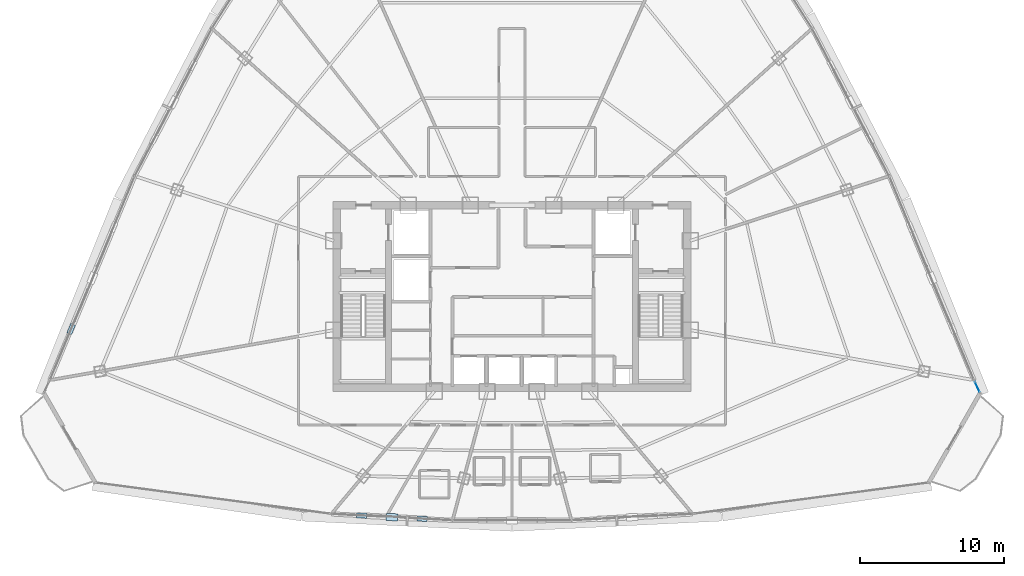
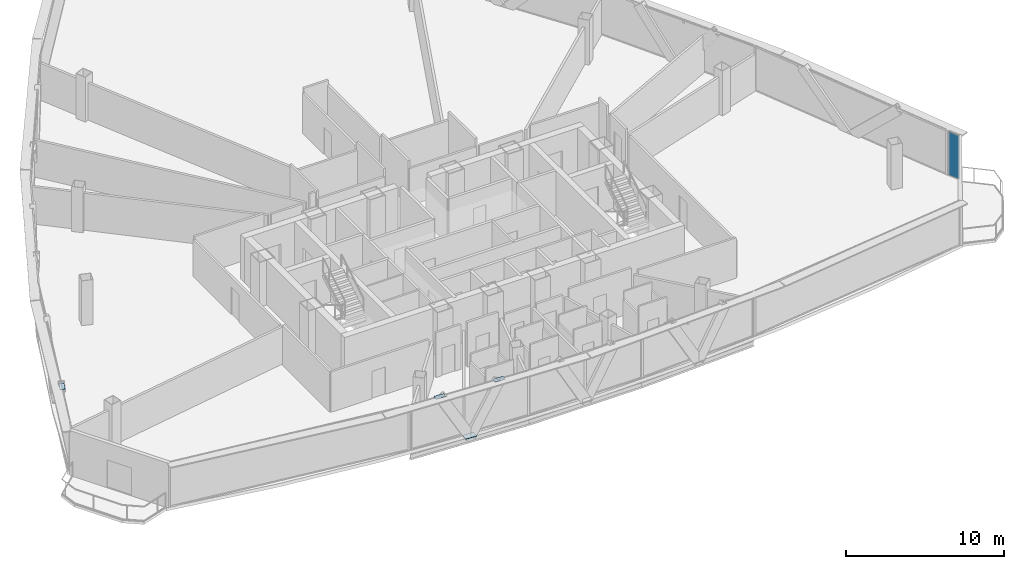
# One storey, part 30 of 37: 5 plates, 1 element without a shape of its own.
"""IFC4 building model written with IfcOpenShell, lengths in metres."""

import ifcopenshell
import ifcopenshell.guid

model = None  # the IFC model being written
_history = None  # IfcOwnerHistory: only IFC2X3 demands one
_inside = {}  # id of a spatial element -> (the spatial element, [elements in it])
_under = {}  # id of a project, library or spatial element -> (it, [spatial elements below it])
_declared = {}  # id of a project -> (the project, [libraries it declares])
_typed = {}  # id of a type object -> (the type object, [elements of that type])
_made_of = {}  # id of a material, layer set ... -> (it, [elements and type objects made of it])


def new_model(schema):
    """Start an empty IFC model of exactly this schema.

    Asked for "IFC4X3", IfcOpenShell would pick the latest addendum, in which some entities
    have other attributes; the version numbers below select the first issue.
    IFC2X3 requires an IfcOwnerHistory on every rooted entity: one is made here for all.
    """
    global model, _history
    if schema == "IFC4X3":
        model = ifcopenshell.file(schema_version=(4, 3, 0, 0))
    else:
        model = ifcopenshell.file(schema=schema)
    _inside.clear()
    _under.clear()
    _declared.clear()
    _typed.clear()
    _made_of.clear()
    _history = None
    if model.schema == "IFC2X3":
        org = make("IfcOrganization", Name="unknown")
        user = make(
            "IfcPersonAndOrganization",
            ThePerson=make("IfcPerson", FamilyName="unknown"),
            TheOrganization=org,
        )
        app = make(
            "IfcApplication",
            ApplicationDeveloper=org,
            Version="unknown",
            ApplicationFullName="unknown",
            ApplicationIdentifier="unknown",
        )
        _history = make(
            "IfcOwnerHistory",
            OwningUser=user,
            OwningApplication=app,
            ChangeAction="ADDED",
            CreationDate=0,
        )
    return model


def make(cls, **values):
    """One entity of the class cls with the attributes given. An attribute that is None is left unset."""
    return model.create_entity(
        cls, **{name: value for name, value in values.items() if value is not None}
    )


def rooted(cls, **values):
    """An entity with a GlobalId (a new one), such as an element, a storey or a relation."""
    return make(cls, GlobalId=ifcopenshell.guid.new(), OwnerHistory=_history, **values)


def si_unit(unit_type, name, prefix=None):
    """IfcSIUnit, for example si_unit("LENGTHUNIT", "METRE", prefix="MILLI")."""
    return make("IfcSIUnit", UnitType=unit_type, Prefix=prefix, Name=name)


def assignment(units):
    """IfcUnitAssignment: the units of a project."""
    return None if units is None else make("IfcUnitAssignment", Units=units)


def point(xyz):
    """IfcCartesianPoint."""
    return None if xyz is None else make("IfcCartesianPoint", Coordinates=xyz)


def direction(xyz):
    """IfcDirection."""
    return None if xyz is None else make("IfcDirection", DirectionRatios=xyz)


def frame(location, z_axis=None, x_axis=None):
    """IfcAxis2Placement3D, a coordinate frame: its origin and axes. An axis left out is left unset."""
    return make(
        "IfcAxis2Placement3D",
        Location=point(location),
        Axis=direction(z_axis),
        RefDirection=direction(x_axis),
    )


def frame_2d(location, x_axis=None):
    """IfcAxis2Placement2D, a coordinate frame in the plane: its origin and x axis."""
    return make(
        "IfcAxis2Placement2D", Location=point(location), RefDirection=direction(x_axis)
    )


def origin():
    """The frame at (0, 0, 0) with its axes left unset."""
    return frame((0.0, 0.0, 0.0))


def origin_2d():
    """The frame at (0, 0) in the plane with its x axis left unset."""
    return frame_2d((0.0, 0.0))


def place(relative_to, where):
    """IfcLocalPlacement: puts the frame where relative to a parent placement (None: the world)."""
    return make(
        "IfcLocalPlacement", PlacementRelTo=relative_to, RelativePlacement=where
    )


def context(
    kind, dimensions, precision=None, world=None, true_north=None, identifier=None
):
    """IfcGeometricRepresentationContext, for example the 3D "Model" context."""
    return make(
        "IfcGeometricRepresentationContext",
        ContextIdentifier=identifier,
        ContextType=kind,
        CoordinateSpaceDimension=dimensions,
        Precision=precision,
        WorldCoordinateSystem=world,
        TrueNorth=true_north,
    )


def subcontext(parent, identifier, kind, view, scale=None):
    """IfcGeometricRepresentationSubContext, for example "Body" below "Model"."""
    return make(
        "IfcGeometricRepresentationSubContext",
        ContextIdentifier=identifier,
        ContextType=kind,
        ParentContext=parent,
        TargetScale=scale,
        TargetView=view,
    )


def project(units=None, contexts=None):
    """IfcProject with its units and contexts."""
    return rooted(
        "IfcProject",
        Name="project",
        RepresentationContexts=contexts,
        UnitsInContext=assignment(units),
    )


def spatial(cls, under=None, at=None, **own):
    """A site, building, storey or space (cls), placed at a placement, below another one or the project."""
    s = rooted(cls, ObjectPlacement=at, **own)
    if under is not None:
        _under.setdefault(under.id(), (under, []))[1].append(s)
    return s


def profile(cls, at=None, kind="AREA", **sizes):
    """A parametric profile (cls). Its sizes go by their IFC names, for example OverallWidth=200.0."""
    return make(cls, ProfileType=kind, Position=at, **sizes)


def rectangle(**sizes):
    """IfcRectangleProfileDef."""
    return profile("IfcRectangleProfileDef", **sizes)


def extrude(swept, where, along, depth):
    """IfcExtrudedAreaSolid: the profile swept, set in the frame where, extruded along a direction by depth."""
    return make(
        "IfcExtrudedAreaSolid",
        SweptArea=swept,
        Position=where,
        ExtrudedDirection=direction(along),
        Depth=depth,
    )


def shape(context_of_items, identifier, shape_type, items):
    """IfcShapeRepresentation: the items that make up one representation, for example the "Body"."""
    return make(
        "IfcShapeRepresentation",
        ContextOfItems=context_of_items,
        RepresentationIdentifier=identifier,
        RepresentationType=shape_type,
        Items=items,
    )


def source(mapping_origin, context_of_items, identifier, shape_type, items):
    """IfcRepresentationMap: a shape defined once, which mapped items show again and again."""
    return make(
        "IfcRepresentationMap",
        MappingOrigin=mapping_origin,
        MappedRepresentation=shape(context_of_items, identifier, shape_type, items),
    )


def transform(
    local_origin,
    x_axis=None,
    y_axis=None,
    z_axis=None,
    scale=None,
    scale2=None,
    scale3=None,
    uniform=True,
):
    """IfcCartesianTransformationOperator3D, or its non-uniform kind. x_axis, y_axis, z_axis: its Axis1, 2, 3."""
    if uniform:
        return make(
            "IfcCartesianTransformationOperator3D",
            Axis1=direction(x_axis),
            Axis2=direction(y_axis),
            LocalOrigin=point(local_origin),
            Scale=scale,
            Axis3=direction(z_axis),
        )
    return make(
        "IfcCartesianTransformationOperator3DnonUniform",
        Axis1=direction(x_axis),
        Axis2=direction(y_axis),
        LocalOrigin=point(local_origin),
        Scale=scale,
        Axis3=direction(z_axis),
        Scale2=scale2,
        Scale3=scale3,
    )


def mapped(mapping_source, mapping_target):
    """IfcMappedItem: shows the shape of a source again, moved by a transform."""
    return make(
        "IfcMappedItem", MappingSource=mapping_source, MappingTarget=mapping_target
    )


def material(Name=None, Category=None):
    """IfcMaterial."""
    return make("IfcMaterial", Name=Name, Category=Category)


def layer(
    of_material, thickness, ventilated=None, Name=None, Category=None, Priority=None
):
    """IfcMaterialLayer: one layer of a wall or slab, of a material (None: an air gap)."""
    return make(
        "IfcMaterialLayer",
        Material=of_material,
        LayerThickness=thickness,
        IsVentilated=ventilated,
        Name=Name,
        Category=Category,
        Priority=Priority,
    )


def layer_set(layers, Name=None):
    """IfcMaterialLayerSet."""
    return make("IfcMaterialLayerSet", MaterialLayers=layers, LayerSetName=Name)


def made_of(thing, what):
    """Note that an element or type object is made of a material, layer set ...; save() writes the relation."""
    if what is not None:
        _made_of.setdefault(what.id(), (what, []))[1].append(thing)
    return thing


def type_object(cls, material=None, **own):
    """A type object (cls), such as IfcWallType, which elements share."""
    return made_of(rooted(cls, **own), material)


def element(
    cls,
    number,
    at=None,
    inside=None,
    cuts=None,
    type_object=None,
    material=None,
    context=None,
    identifier="Body",
    shape_type=None,
    held_by="IfcProductDefinitionShape",
    body=None,
    shapes=None,
    **own,
):
    """One element of the class cls, such as IfcWall. Its Tag is "e" and its number.

    at: its placement. inside: the storey or other place that contains it. cuts: it is an
    opening in that element (IfcRelVoidsElement). A single representation is given by context,
    identifier, shape_type and body (its items); several are given by shapes. held_by: the class
    of the entity that holds the representations. save() writes the other relations.
    """
    e = rooted(cls, Tag="e%d" % number, ObjectPlacement=at, **own)
    if body is not None:
        shapes = [shape(context, identifier, shape_type, body)]
    if shapes is not None:
        e.Representation = make(held_by, Representations=shapes)
    if inside is not None:
        _inside.setdefault(inside.id(), (inside, []))[1].append(e)
    if cuts is not None:
        rooted(
            "IfcRelVoidsElement", RelatingBuildingElement=cuts, RelatedOpeningElement=e
        )
    if type_object is not None:
        _typed.setdefault(type_object.id(), (type_object, []))[1].append(e)
    return made_of(e, material)


def aggregate(whole, parts):
    """IfcRelAggregates: a whole, such as a stair, and the parts it consists of."""
    return rooted("IfcRelAggregates", RelatingObject=whole, RelatedObjects=parts)


def save(model, path):
    """Write the relations noted so far, then the file.

    IfcRelAggregates (storeys below a building ...), IfcRelContainedInSpatialStructure (elements
    in a storey), IfcRelDefinesByType, IfcRelAssociatesMaterial and IfcRelDeclares: one each for
    every whole, place, type object, material and project.
    """
    for whole, parts in _under.values():
        aggregate(whole, parts)
    for where, things in _inside.values():
        rooted(
            "IfcRelContainedInSpatialStructure",
            RelatedElements=things,
            RelatingStructure=where,
        )
    for kind, things in _typed.values():
        rooted("IfcRelDefinesByType", RelatedObjects=things, RelatingType=kind)
    for what, things in _made_of.values():
        rooted("IfcRelAssociatesMaterial", RelatedObjects=things, RelatingMaterial=what)
    for by, libraries in _declared.values():
        rooted("IfcRelDeclares", RelatingContext=by, RelatedDefinitions=libraries)
    model.write(path)


model = new_model("IFC4")

# Units and contexts
model_context = context("Model", 3, precision=1e-05, world=origin(), true_north=direction((0.0, 1.0)))
body_context = subcontext(model_context, "Body", "Model", "MODEL_VIEW")
ifc_project = project(units=[si_unit("LENGTHUNIT", "METRE"), si_unit("AREAUNIT", "SQUARE_METRE"), si_unit("VOLUMEUNIT", "CUBIC_METRE"), si_unit("PLANEANGLEUNIT", "RADIAN"), si_unit("MASSUNIT", "GRAM", prefix="KILO"), si_unit("THERMODYNAMICTEMPERATUREUNIT", "KELVIN"), si_unit("POWERUNIT", "WATT")], contexts=[model_context])

# Site, building, storey
site_placement = place(None, origin())
site = spatial("IfcSite", under=ifc_project, at=site_placement, CompositionType="ELEMENT")
building_placement = place(site_placement, origin())
building = spatial("IfcBuilding", under=site, at=building_placement, Name="Yunzhuo Pagoda Commons", CompositionType="ELEMENT")
storey_placement = place(building_placement, frame((0.0, 0.0, 281.2900390625)))
storey = spatial("IfcBuildingStorey", under=building, at=storey_placement, Name="L70", CompositionType="ELEMENT", Elevation=281.2900390625)

# Plates
ifc_material_1 = material(Name="Structural steel Q355B", Category="steel")
ifc_layer_1 = layer(ifc_material_1, 0.028076171875)
ifc_layer_set_1 = layer_set([ifc_layer_1], Name="Structural steel Q355B")
plate_type_1 = type_object("IfcPlateType", Name="SP-ND1 Lattice Node Cap Plate 800x500x28", PredefinedType="USERDEFINED", material=ifc_layer_set_1)
shared_shape_1 = source(origin(), body_context, "Body", "SweptSolid", [
    extrude(rectangle(XDim=0.800048828125, YDim=0.5, at=origin_2d()), origin(), (0.0, 0.0, 1.0), 0.028076171875),
])
plate_1_placement = place(storey_placement, frame((39.649169921875, 18.498291015625, -0.27392578125), z_axis=(0.0, 0.0, 1.0), x_axis=(0.998603839336, -0.052823972429, 0.0)))
element("IfcPlate", 1, at=plate_1_placement, inside=storey, type_object=plate_type_1, Name="L70 diamond node plate F1.1A", ObjectType="STIFFENER_PLATE", PredefinedType="USERDEFINED", context=body_context, shape_type="MappedRepresentation", body=[
    mapped(shared_shape_1, transform((0.0, 0.0, 0.0), scale=1.0)),
])
shared_shape_2 = source(origin(), body_context, "Body", "SweptSolid", [
    extrude(rectangle(XDim=0.699951171875, YDim=0.35009765625, at=origin_2d()), origin(), (0.0, 0.0, 1.0), 0.035888671875),
])
for number, where, z_axis, x_axis, name in (
    (2, (37.540283203125, 18.609619140625, 3.43212890625), (0.0, 0.0, 1.0), (0.998603839336, -0.052823972429, 0.0), "L70 setback lattice tie plate F1.1L"),
    (3, (41.758056640625, 18.38671875, 3.43212890625), (0.0, 0.0, 1.0), (0.998603839336, -0.052823972429, 0.0), "L70 setback lattice tie plate F1.1R"),
    (4, (17.3251953125, 31.58056640625, 3.43212890625), (0.0, 0.0, 1.0), (-0.383860227441, -0.923391209504, 0.0), "L70 setback lattice tie plate F3.3R"),
):
    element("IfcPlate", number, at=place(storey_placement, frame(where, z_axis=z_axis, x_axis=x_axis)), inside=storey, type_object=plate_type_1, Name=name, ObjectType="STIFFENER_PLATE", PredefinedType="USERDEFINED", context=body_context, shape_type="MappedRepresentation", body=[
        mapped(shared_shape_2, transform((0.0, 0.0, 0.0), scale=1.0)),
    ])

# Curtain wall, plate
ifc_material_2 = material(Name="Anodized aluminium 6063-T6", Category="aluminium")
ifc_layer_2 = layer(ifc_material_2, 0.139892578125)
ifc_layer_set_2 = layer_set([ifc_layer_2], Name="Anodized aluminium 6063-T6")
curtain_wall_type = type_object("IfcCurtainWallType", Name="CW-HI High-Zone Ribbon Curtain Wall", PredefinedType="NOTDEFINED", material=ifc_layer_set_2)
curtain_wall_placement = place(storey_placement, origin())
curtain_wall = element("IfcCurtainWall", 5, at=curtain_wall_placement, inside=storey, type_object=curtain_wall_type, Name="L70 curtain wall CW-L70-F2B1", PredefinedType="NOTDEFINED")
ifc_material_3 = material(Name="Tempered low-e double glazing", Category="glass")
ifc_layer_3 = layer(ifc_material_3, 0.02587890625)
ifc_layer_set_3 = layer_set([ifc_layer_3], Name="Tempered low-e double glazing")
plate_type_2 = type_object("IfcPlateType", Name="CW-HI-P Low-E Double Glazing 26", PredefinedType="CURTAIN_PANEL", material=ifc_layer_set_3)
shared_shape_3 = source(origin(), body_context, "Body", "SweptSolid", [
    extrude(rectangle(XDim=0.802734375, YDim=0.028076171875, at=origin_2d()), origin(), (0.0, 0.0, 1.0), 3.360107421875),
])
plate_2_placement = place(storey_placement, frame((80.376220703125, 27.544677734375, 0.0546875), z_axis=(0.0, 0.0, 1.0), x_axis=(-0.421407442389, 0.906871417291, 0.0)))
plate_2 = element("IfcPlate", 6, at=plate_2_placement, type_object=plate_type_2, Name="CW panel 1.1", PredefinedType="CURTAIN_PANEL", context=body_context, shape_type="MappedRepresentation", body=[
    mapped(shared_shape_3, transform((0.0, 0.0, 0.0), scale=1.0)),
])
aggregate(curtain_wall, [plate_2])

save(model, "model.ifc")
